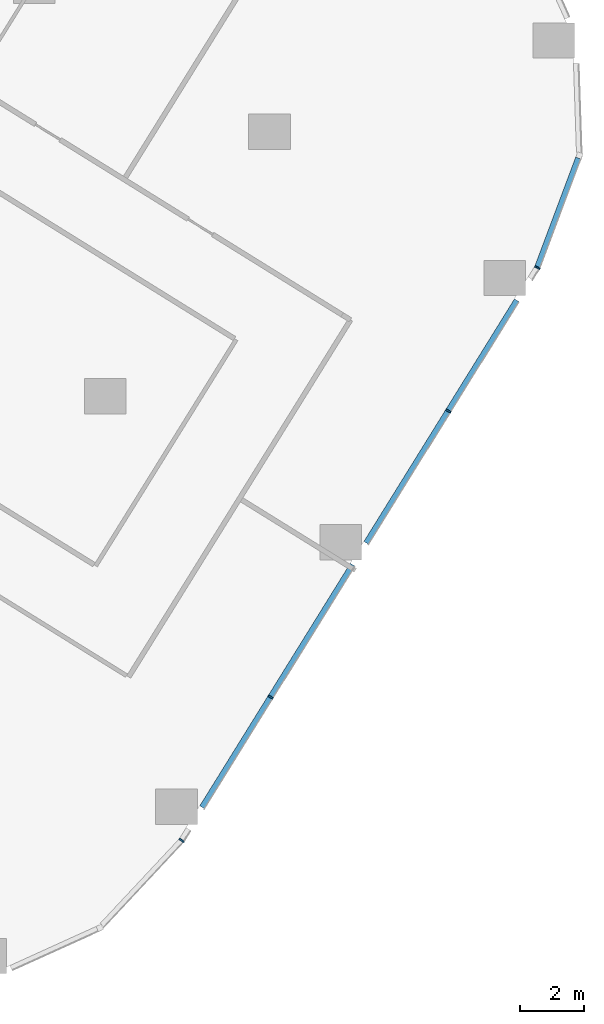
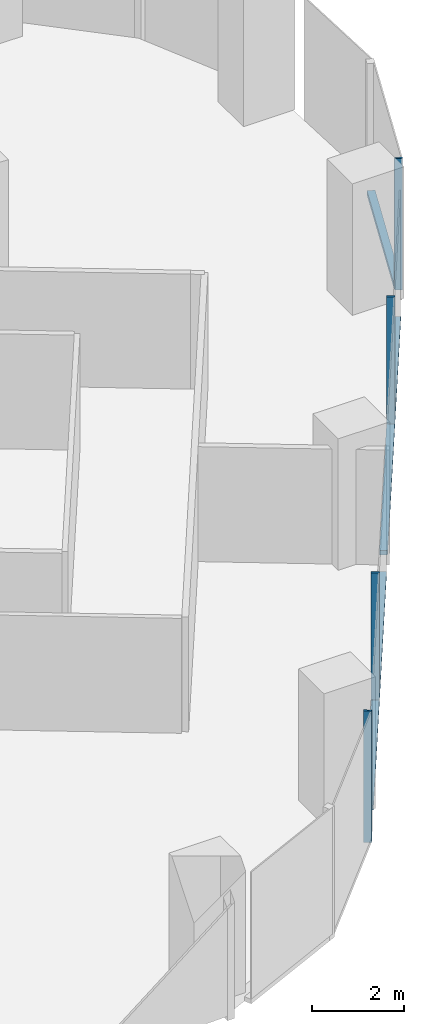
# One storey, part 9 of 34: 7 members, 3 elements without a shape of their own.
"""IFC4 building model written with IfcOpenShell, lengths in metres."""

import ifcopenshell
import ifcopenshell.guid

model = None  # the IFC model being written
_history = None  # IfcOwnerHistory: only IFC2X3 demands one
_inside = {}  # id of a spatial element -> (the spatial element, [elements in it])
_under = {}  # id of a project, library or spatial element -> (it, [spatial elements below it])
_declared = {}  # id of a project -> (the project, [libraries it declares])
_typed = {}  # id of a type object -> (the type object, [elements of that type])
_made_of = {}  # id of a material, layer set ... -> (it, [elements and type objects made of it])


def new_model(schema):
    """Start an empty IFC model of exactly this schema.

    Asked for "IFC4X3", IfcOpenShell would pick the latest addendum, in which some entities
    have other attributes; the version numbers below select the first issue.
    IFC2X3 requires an IfcOwnerHistory on every rooted entity: one is made here for all.
    """
    global model, _history
    if schema == "IFC4X3":
        model = ifcopenshell.file(schema_version=(4, 3, 0, 0))
    else:
        model = ifcopenshell.file(schema=schema)
    _inside.clear()
    _under.clear()
    _declared.clear()
    _typed.clear()
    _made_of.clear()
    _history = None
    if model.schema == "IFC2X3":
        org = make("IfcOrganization", Name="unknown")
        user = make(
            "IfcPersonAndOrganization",
            ThePerson=make("IfcPerson", FamilyName="unknown"),
            TheOrganization=org,
        )
        app = make(
            "IfcApplication",
            ApplicationDeveloper=org,
            Version="unknown",
            ApplicationFullName="unknown",
            ApplicationIdentifier="unknown",
        )
        _history = make(
            "IfcOwnerHistory",
            OwningUser=user,
            OwningApplication=app,
            ChangeAction="ADDED",
            CreationDate=0,
        )
    return model


def make(cls, **values):
    """One entity of the class cls with the attributes given. An attribute that is None is left unset."""
    return model.create_entity(
        cls, **{name: value for name, value in values.items() if value is not None}
    )


def rooted(cls, **values):
    """An entity with a GlobalId (a new one), such as an element, a storey or a relation."""
    return make(cls, GlobalId=ifcopenshell.guid.new(), OwnerHistory=_history, **values)


def si_unit(unit_type, name, prefix=None):
    """IfcSIUnit, for example si_unit("LENGTHUNIT", "METRE", prefix="MILLI")."""
    return make("IfcSIUnit", UnitType=unit_type, Prefix=prefix, Name=name)


def assignment(units):
    """IfcUnitAssignment: the units of a project."""
    return None if units is None else make("IfcUnitAssignment", Units=units)


def point(xyz):
    """IfcCartesianPoint."""
    return None if xyz is None else make("IfcCartesianPoint", Coordinates=xyz)


def direction(xyz):
    """IfcDirection."""
    return None if xyz is None else make("IfcDirection", DirectionRatios=xyz)


def frame(location, z_axis=None, x_axis=None):
    """IfcAxis2Placement3D, a coordinate frame: its origin and axes. An axis left out is left unset."""
    return make(
        "IfcAxis2Placement3D",
        Location=point(location),
        Axis=direction(z_axis),
        RefDirection=direction(x_axis),
    )


def frame_2d(location, x_axis=None):
    """IfcAxis2Placement2D, a coordinate frame in the plane: its origin and x axis."""
    return make(
        "IfcAxis2Placement2D", Location=point(location), RefDirection=direction(x_axis)
    )


def origin():
    """The frame at (0, 0, 0) with its axes left unset."""
    return frame((0.0, 0.0, 0.0))


def origin_2d():
    """The frame at (0, 0) in the plane with its x axis left unset."""
    return frame_2d((0.0, 0.0))


def place(relative_to, where):
    """IfcLocalPlacement: puts the frame where relative to a parent placement (None: the world)."""
    return make(
        "IfcLocalPlacement", PlacementRelTo=relative_to, RelativePlacement=where
    )


def context(
    kind, dimensions, precision=None, world=None, true_north=None, identifier=None
):
    """IfcGeometricRepresentationContext, for example the 3D "Model" context."""
    return make(
        "IfcGeometricRepresentationContext",
        ContextIdentifier=identifier,
        ContextType=kind,
        CoordinateSpaceDimension=dimensions,
        Precision=precision,
        WorldCoordinateSystem=world,
        TrueNorth=true_north,
    )


def subcontext(parent, identifier, kind, view, scale=None):
    """IfcGeometricRepresentationSubContext, for example "Body" below "Model"."""
    return make(
        "IfcGeometricRepresentationSubContext",
        ContextIdentifier=identifier,
        ContextType=kind,
        ParentContext=parent,
        TargetScale=scale,
        TargetView=view,
    )


def project(units=None, contexts=None):
    """IfcProject with its units and contexts."""
    return rooted(
        "IfcProject",
        Name="project",
        RepresentationContexts=contexts,
        UnitsInContext=assignment(units),
    )


def spatial(cls, under=None, at=None, **own):
    """A site, building, storey or space (cls), placed at a placement, below another one or the project."""
    s = rooted(cls, ObjectPlacement=at, **own)
    if under is not None:
        _under.setdefault(under.id(), (under, []))[1].append(s)
    return s


def profile(cls, at=None, kind="AREA", **sizes):
    """A parametric profile (cls). Its sizes go by their IFC names, for example OverallWidth=200.0."""
    return make(cls, ProfileType=kind, Position=at, **sizes)


def rectangle(**sizes):
    """IfcRectangleProfileDef."""
    return profile("IfcRectangleProfileDef", **sizes)


def extrude(swept, where, along, depth):
    """IfcExtrudedAreaSolid: the profile swept, set in the frame where, extruded along a direction by depth."""
    return make(
        "IfcExtrudedAreaSolid",
        SweptArea=swept,
        Position=where,
        ExtrudedDirection=direction(along),
        Depth=depth,
    )


def shape(context_of_items, identifier, shape_type, items):
    """IfcShapeRepresentation: the items that make up one representation, for example the "Body"."""
    return make(
        "IfcShapeRepresentation",
        ContextOfItems=context_of_items,
        RepresentationIdentifier=identifier,
        RepresentationType=shape_type,
        Items=items,
    )


def material(Name=None, Category=None):
    """IfcMaterial."""
    return make("IfcMaterial", Name=Name, Category=Category)


def material_profile(
    of_material, cross_section, Name=None, Category=None, Priority=None
):
    """IfcMaterialProfile: a cross section and its material."""
    return make(
        "IfcMaterialProfile",
        Name=Name,
        Material=of_material,
        Profile=cross_section,
        Priority=Priority,
        Category=Category,
    )


def profile_set(profiles, Name=None, composite=None):
    """IfcMaterialProfileSet."""
    return make(
        "IfcMaterialProfileSet",
        Name=Name,
        MaterialProfiles=profiles,
        CompositeProfile=composite,
    )


def made_of(thing, what):
    """Note that an element or type object is made of a material, layer set ...; save() writes the relation."""
    if what is not None:
        _made_of.setdefault(what.id(), (what, []))[1].append(thing)
    return thing


def type_object(cls, material=None, **own):
    """A type object (cls), such as IfcWallType, which elements share."""
    return made_of(rooted(cls, **own), material)


def element(
    cls,
    number,
    at=None,
    inside=None,
    cuts=None,
    type_object=None,
    material=None,
    context=None,
    identifier="Body",
    shape_type=None,
    held_by="IfcProductDefinitionShape",
    body=None,
    shapes=None,
    **own,
):
    """One element of the class cls, such as IfcWall. Its Tag is "e" and its number.

    at: its placement. inside: the storey or other place that contains it. cuts: it is an
    opening in that element (IfcRelVoidsElement). A single representation is given by context,
    identifier, shape_type and body (its items); several are given by shapes. held_by: the class
    of the entity that holds the representations. save() writes the other relations.
    """
    e = rooted(cls, Tag="e%d" % number, ObjectPlacement=at, **own)
    if body is not None:
        shapes = [shape(context, identifier, shape_type, body)]
    if shapes is not None:
        e.Representation = make(held_by, Representations=shapes)
    if inside is not None:
        _inside.setdefault(inside.id(), (inside, []))[1].append(e)
    if cuts is not None:
        rooted(
            "IfcRelVoidsElement", RelatingBuildingElement=cuts, RelatedOpeningElement=e
        )
    if type_object is not None:
        _typed.setdefault(type_object.id(), (type_object, []))[1].append(e)
    return made_of(e, material)


def aggregate(whole, parts):
    """IfcRelAggregates: a whole, such as a stair, and the parts it consists of."""
    return rooted("IfcRelAggregates", RelatingObject=whole, RelatedObjects=parts)


def save(model, path):
    """Write the relations noted so far, then the file.

    IfcRelAggregates (storeys below a building ...), IfcRelContainedInSpatialStructure (elements
    in a storey), IfcRelDefinesByType, IfcRelAssociatesMaterial and IfcRelDeclares: one each for
    every whole, place, type object, material and project.
    """
    for whole, parts in _under.values():
        aggregate(whole, parts)
    for where, things in _inside.values():
        rooted(
            "IfcRelContainedInSpatialStructure",
            RelatedElements=things,
            RelatingStructure=where,
        )
    for kind, things in _typed.values():
        rooted("IfcRelDefinesByType", RelatedObjects=things, RelatingType=kind)
    for what, things in _made_of.values():
        rooted("IfcRelAssociatesMaterial", RelatedObjects=things, RelatingMaterial=what)
    for by, libraries in _declared.values():
        rooted("IfcRelDeclares", RelatingContext=by, RelatedDefinitions=libraries)
    model.write(path)


model = new_model("IFC4")

# Units and contexts
model_context = context("Model", 3, precision=1e-05, world=origin(), true_north=direction((0.0, 1.0)))
body_context = subcontext(model_context, "Body", "Model", "MODEL_VIEW")
ifc_project = project(units=[si_unit("LENGTHUNIT", "METRE"), si_unit("AREAUNIT", "SQUARE_METRE"), si_unit("VOLUMEUNIT", "CUBIC_METRE"), si_unit("PLANEANGLEUNIT", "RADIAN"), si_unit("MASSUNIT", "GRAM", prefix="KILO")], contexts=[model_context])

# Site, building, storey
site_placement = place(None, origin())
site = spatial("IfcSite", under=ifc_project, at=site_placement, CompositionType="ELEMENT")
building_placement = place(site_placement, origin())
building = spatial("IfcBuilding", under=site, at=building_placement, Name="Orlundy Tower", CompositionType="ELEMENT")
storey_placement = place(building_placement, frame((0.0, 0.0, 47.800048828125)))
storey = spatial("IfcBuildingStorey", under=building, at=storey_placement, Name="L10", CompositionType="ELEMENT", Elevation=47.800048828125)

# Curtain wall, members
ifc_material_1 = material(Name="Aluminium bronze anodised", Category="aluminium")
curtain_wall_type = type_object("IfcCurtainWallType", Name="CW1 wall", PredefinedType="NOTDEFINED", material=ifc_material_1)
curtain_wall_1_placement = place(storey_placement, origin())
curtain_wall_1 = element("IfcCurtainWall", 1, at=curtain_wall_1_placement, inside=storey, type_object=curtain_wall_type, Name="CW1 run 011", PredefinedType="NOTDEFINED")
ifc_material_2 = material(Name="Aluminium bronze anodised", Category="aluminium")
ifc_material_profile_1 = material_profile(ifc_material_2, rectangle(XDim=0.179931640625, YDim=0.050048828125, at=origin_2d()), Name="CW1 mullion 50x180")
ifc_profile_set_1 = profile_set([ifc_material_profile_1], Name="Aluminium bronze anodised")
member_type_1 = type_object("IfcMemberType", Name="CW1 mullion 50x180", PredefinedType="MULLION", material=ifc_profile_set_1)
member_1_placement = place(storey_placement, frame((56.170166015625, -22.5029296875, -0.420166015625), z_axis=(0.0, 0.0, 1.0), x_axis=(0.897195117348, -0.441634375255, 0.0)))
member_1 = element("IfcMember", 2, at=member_1_placement, type_object=member_type_1, Name="CW1 mullion 36", PredefinedType="MULLION", context=body_context, shape_type="SweptSolid", body=[
    extrude(rectangle(XDim=0.179931640625, YDim=0.050048828125, at=origin_2d()), origin(), (0.0, 0.0, 1.0), 3.5),
])
member_2_placement = place(storey_placement, frame((53.396240234375, -26.970703125, -0.420166015625), z_axis=(0.0, 0.0, 1.0), x_axis=(0.849570263059, -0.527475466848, 0.0)))
member_2 = element("IfcMember", 3, at=member_2_placement, type_object=member_type_1, Name="CW1 mullion 37", PredefinedType="MULLION", context=body_context, shape_type="SweptSolid", body=[
    extrude(rectangle(XDim=0.179931640625, YDim=0.050048828125, at=origin_2d()), origin(), (0.0, 0.0, 1.0), 3.5),
])
member_3_placement = place(storey_placement, frame((47.857666015625, -35.89111328125, -0.420166015625), z_axis=(0.0, 0.0, 1.0), x_axis=(0.849570263059, -0.527475466848, 0.0)))
member_3 = element("IfcMember", 4, at=member_3_placement, type_object=member_type_1, Name="CW1 mullion 39", PredefinedType="MULLION", context=body_context, shape_type="SweptSolid", body=[
    extrude(rectangle(XDim=0.179931640625, YDim=0.050048828125, at=origin_2d()), origin(), (0.0, 0.0, 1.0), 3.5),
])

# Curtain wall, member
curtain_wall_2_placement = place(storey_placement, origin())
curtain_wall_2 = element("IfcCurtainWall", 5, at=curtain_wall_2_placement, inside=storey, type_object=curtain_wall_type, Name="CW1 run 012", PredefinedType="NOTDEFINED")
member_4_placement = place(storey_placement, frame((45.083740234375, -40.35888671875, -0.420166015625), z_axis=(0.0, 0.0, 1.0), x_axis=(0.793768151069, -0.608220455385, 0.0)))
member_4 = element("IfcMember", 6, at=member_4_placement, type_object=member_type_1, Name="CW1 mullion 40", PredefinedType="MULLION", context=body_context, shape_type="SweptSolid", body=[
    extrude(rectangle(XDim=0.179931640625, YDim=0.050048828125, at=origin_2d()), origin(), (0.0, 0.0, 1.0), 3.5),
])
aggregate(curtain_wall_2, [member_4])

curtain_wall_3_placement = place(storey_placement, origin())
curtain_wall_3 = element("IfcCurtainWall", 7, at=curtain_wall_3_placement, inside=storey, type_object=curtain_wall_type, Name="CW1 run 010", PredefinedType="NOTDEFINED")
ifc_material_3 = material(Name="Aluminium bronze anodised", Category="aluminium")
ifc_material_profile_2 = material_profile(ifc_material_3, rectangle(XDim=0.179931640625, YDim=0.1201171875, at=origin_2d()), Name="CW1 transom 180x120")
ifc_profile_set_2 = profile_set([ifc_material_profile_2], Name="Aluminium bronze anodised")
member_type_2 = type_object("IfcMemberType", Name="CW1 transom 180x120", PredefinedType="USERDEFINED", material=ifc_profile_set_2)
member_5_placement = place(storey_placement, frame((57.450927734375, -19.092041015625, -0.360107421875), z_axis=(-0.351530090139, -0.936176583624, 0.0), x_axis=(0.936176583624, -0.351530090139, 0.0)))
member_5 = element("IfcMember", 8, at=member_5_placement, type_object=member_type_2, Name="CW1 transom", ObjectType="TRANSOM", PredefinedType="USERDEFINED", context=body_context, shape_type="SweptSolid", body=[
    extrude(rectangle(XDim=0.179931640625, YDim=0.1201171875, at=origin_2d()), origin(), (0.0, 0.0, 1.0), 3.618408203125),
])
aggregate(curtain_wall_3, [member_5])

# Member
member_6_placement = place(storey_placement, frame((55.534912109375, -23.52587890625, -0.360107421875), z_axis=(-0.527463931619, -0.849577424865, 0.0), x_axis=(0.849577424865, -0.527463931619, 0.0)))
member_6 = element("IfcMember", 9, at=member_6_placement, type_object=member_type_2, Name="CW1 transom", ObjectType="TRANSOM", PredefinedType="USERDEFINED", context=body_context, shape_type="SweptSolid", body=[
    extrude(rectangle(XDim=0.179931640625, YDim=0.1201171875, at=origin_2d()), origin(), (0.0, 0.0, 1.0), 8.89892578125),
])

member_7_placement = place(storey_placement, frame((50.418212890625, -31.76708984375, -0.360107421875), z_axis=(-0.527459145576, -0.849580396283, 0.0), x_axis=(0.849580396283, -0.527459145576, 0.0)))
member_7 = element("IfcMember", 10, at=member_7_placement, type_object=member_type_2, Name="CW1 transom", ObjectType="TRANSOM", PredefinedType="USERDEFINED", context=body_context, shape_type="SweptSolid", body=[
    extrude(rectangle(XDim=0.179931640625, YDim=0.1201171875, at=origin_2d()), origin(), (0.0, 0.0, 1.0), 8.8994140625),
])

aggregate(curtain_wall_1, [member_1, member_2, member_3, member_6, member_7])

save(model, "model.ifc")
